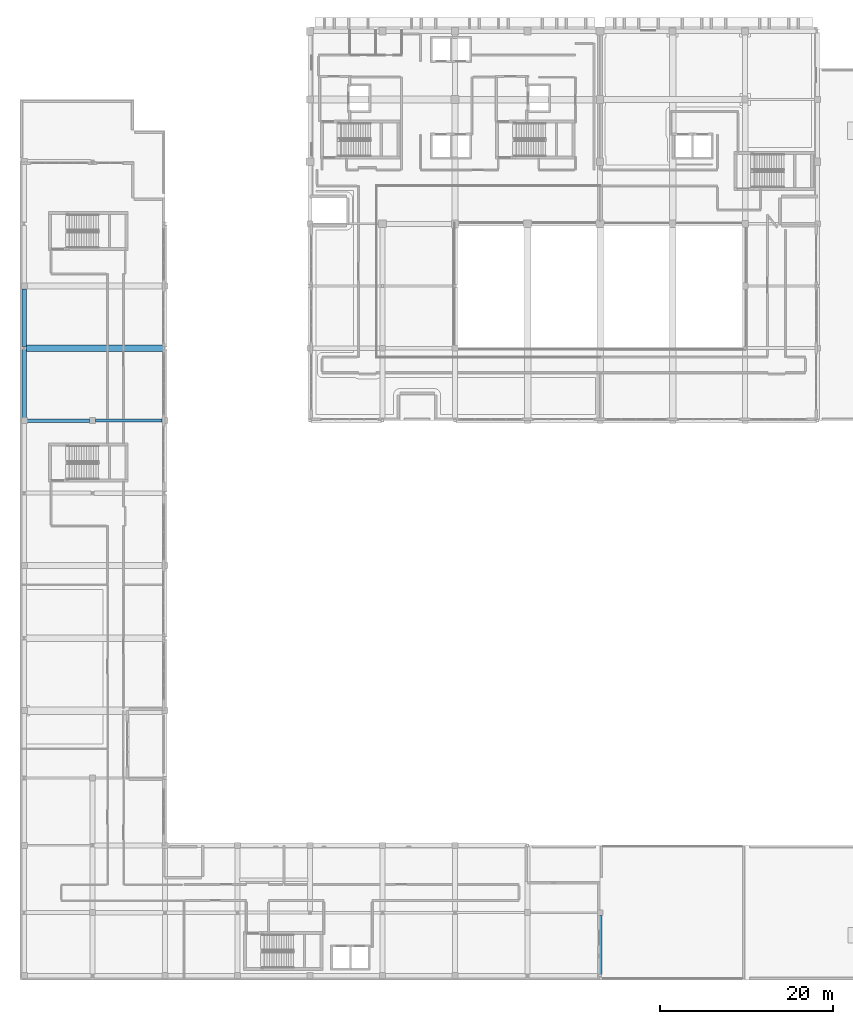
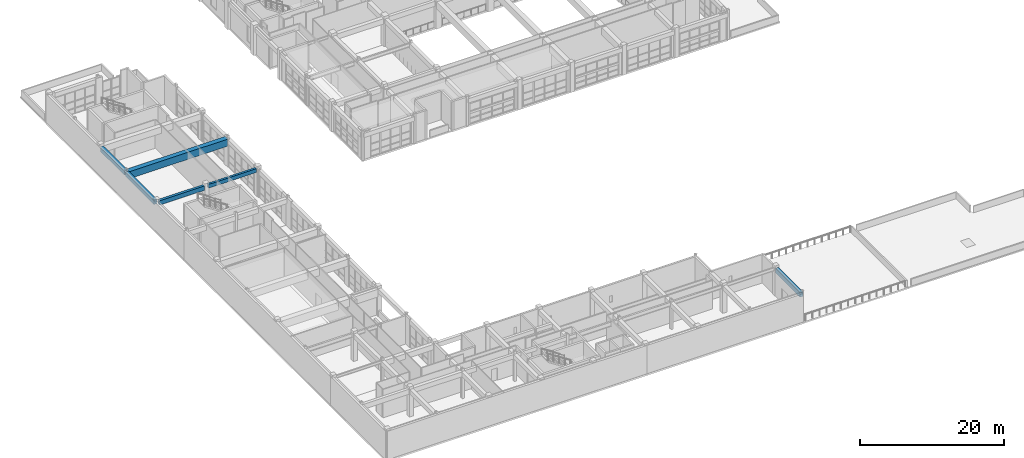
# One storey, part 22 of 78: 6 beams.
"""IFC4 building model written with IfcOpenShell, lengths in metres."""

from ifc_helpers import new_model, si_unit, direction, frame, origin, origin_2d, place, context, subcontext, project, spatial, rectangle, extrude, material, material_profile, profile_set, type_object, element, save


model = new_model("IFC4")

# Units and contexts
model_context = context("Model", 3, precision=1e-05, world=origin(), true_north=direction((0.0, 1.0)))
body_context = subcontext(model_context, "Body", "Model", "MODEL_VIEW")
ifc_project = project(units=[si_unit("LENGTHUNIT", "METRE"), si_unit("AREAUNIT", "SQUARE_METRE"), si_unit("VOLUMEUNIT", "CUBIC_METRE"), si_unit("PLANEANGLEUNIT", "RADIAN"), si_unit("MASSUNIT", "GRAM", prefix="KILO")], contexts=[model_context])

# Site, building, storey
site_placement = place(None, origin())
site = spatial("IfcSite", under=ifc_project, at=site_placement, CompositionType="ELEMENT")
building_placement = place(site_placement, origin())
building = spatial("IfcBuilding", under=site, at=building_placement, Name="Quendrovan Civic Courthouse", CompositionType="ELEMENT")
storey_placement = place(building_placement, frame((0.0, 0.0, 10.199951171875)))
storey = spatial("IfcBuildingStorey", under=building, at=storey_placement, Name="L03", CompositionType="ELEMENT", Elevation=10.199951171875)

# Beams
ifc_material_1 = material(Name="Post-tensioned concrete C50/60", Category="concrete")
ifc_material_profile_1 = material_profile(ifc_material_1, rectangle(XDim=0.75, YDim=1.199951171875, at=origin_2d()), Name="PT-GIRD-750x1200")
ifc_profile_set_1 = profile_set([ifc_material_profile_1], Name="Post-tensioned concrete C50/60")
beam_type_1 = type_object("IfcBeamType", Name="BM-PT1200", PredefinedType="BEAM", material=ifc_profile_set_1)
beam_1_placement = place(storey_placement, frame((0.6669921875, 73.199951171875, 4.06005859375), z_axis=(1.0, 0.0, 0.0), x_axis=(0.0, 1.0, 0.0)))
element("IfcBeam", 1, at=beam_1_placement, inside=storey, type_object=beam_type_1, Name="L03 Girder X0752", PredefinedType="BEAM", context=body_context, shape_type="SweptSolid", body=[
    extrude(rectangle(XDim=0.75, YDim=1.199951171875, at=origin_2d()), origin(), (0.0, 0.0, 1.0), 15.966064453125),
])
ifc_material_2 = material(Name="Concrete C40/50", Category="concrete")
ifc_material_profile_2 = material_profile(ifc_material_2, rectangle(XDim=0.35009765625, YDim=0.64990234375, at=origin_2d()), Name="RC-BM-350x650")
ifc_profile_set_2 = profile_set([ifc_material_profile_2], Name="Concrete C40/50")
beam_type_2 = type_object("IfcBeamType", Name="BM-RC650B", PredefinedType="BEAM", material=ifc_profile_set_2)
beam_2_placement = place(storey_placement, frame((8.72998046875, 64.800048828125, 4.3349609375), z_axis=(1.0, 0.0, 0.0), x_axis=(0.0, 1.0, 0.0)))
element("IfcBeam", 2, at=beam_2_placement, inside=storey, type_object=beam_type_2, Name="L03 Girder X0745", PredefinedType="BEAM", context=body_context, shape_type="SweptSolid", body=[
    extrude(rectangle(XDim=0.35009765625, YDim=0.64990234375, at=origin_2d()), origin(), (0.0, 0.0, 1.0), 7.739990234375),
])
ifc_material_profile_3 = material_profile(ifc_material_2, rectangle(XDim=0.5, YDim=0.75, at=origin_2d()), Name="RC-BM-500x750")
ifc_profile_set_3 = profile_set([ifc_material_profile_3], Name="Concrete C40/50")
beam_type_3 = type_object("IfcBeamType", Name="BM-RC750", PredefinedType="SPANDREL", material=ifc_profile_set_3)
beam_3_placement = place(storey_placement, frame((0.5, 65.1298828125, 4.28515625), z_axis=(0.0, 1.0, 0.0), x_axis=(-1.0, 0.0, 0.0)))
element("IfcBeam", 3, at=beam_3_placement, inside=storey, type_object=beam_type_3, Name="L03 Girder Y0801", PredefinedType="SPANDREL", context=body_context, shape_type="SweptSolid", body=[
    extrude(rectangle(XDim=0.5, YDim=0.75, at=origin_2d()), origin(), (0.0, 0.0, 1.0), 7.904052734375),
])
beam_4_placement = place(storey_placement, frame((0.5, 73.365966796875, 4.28515625), z_axis=(0.0, 1.0, 0.0), x_axis=(-1.0, 0.0, 0.0)))
element("IfcBeam", 4, at=beam_4_placement, inside=storey, type_object=beam_type_3, Name="L03 Girder Y0802", PredefinedType="SPANDREL", context=body_context, shape_type="SweptSolid", body=[
    extrude(rectangle(XDim=0.5, YDim=0.75, at=origin_2d()), origin(), (0.0, 0.0, 1.0), 6.7041015625),
])
beam_5_placement = place(storey_placement, frame((67.199951171875, 0.6298828125, 4.28515625), z_axis=(0.0, 1.0, 0.0), x_axis=(-1.0, 0.0, 0.0)))
element("IfcBeam", 5, at=beam_5_placement, inside=storey, type_object=beam_type_3, Name="L03 Girder Y0843", PredefinedType="SPANDREL", context=body_context, shape_type="SweptSolid", body=[
    extrude(rectangle(XDim=0.5, YDim=0.75, at=origin_2d()), origin(), (0.0, 0.0, 1.0), 6.865234375),
])
ifc_material_profile_4 = material_profile(ifc_material_2, rectangle(XDim=0.39990234375, YDim=0.75, at=origin_2d()), Name="RC-BM-400x750")
ifc_profile_set_4 = profile_set([ifc_material_profile_4], Name="Concrete C40/50")
beam_type_4 = type_object("IfcBeamType", Name="BM-RC750B", PredefinedType="BEAM", material=ifc_profile_set_4)
beam_6_placement = place(storey_placement, frame((0.830078125, 64.800048828125, 4.28515625), z_axis=(1.0, 0.0, 0.0), x_axis=(0.0, 1.0, 0.0)))
element("IfcBeam", 6, at=beam_6_placement, inside=storey, type_object=beam_type_4, Name="L03 Girder X0744", PredefinedType="BEAM", context=body_context, shape_type="SweptSolid", body=[
    extrude(rectangle(XDim=0.39990234375, YDim=0.75, at=origin_2d()), origin(), (0.0, 0.0, 1.0), 7.239990234375),
])

save(model, "model.ifc")
